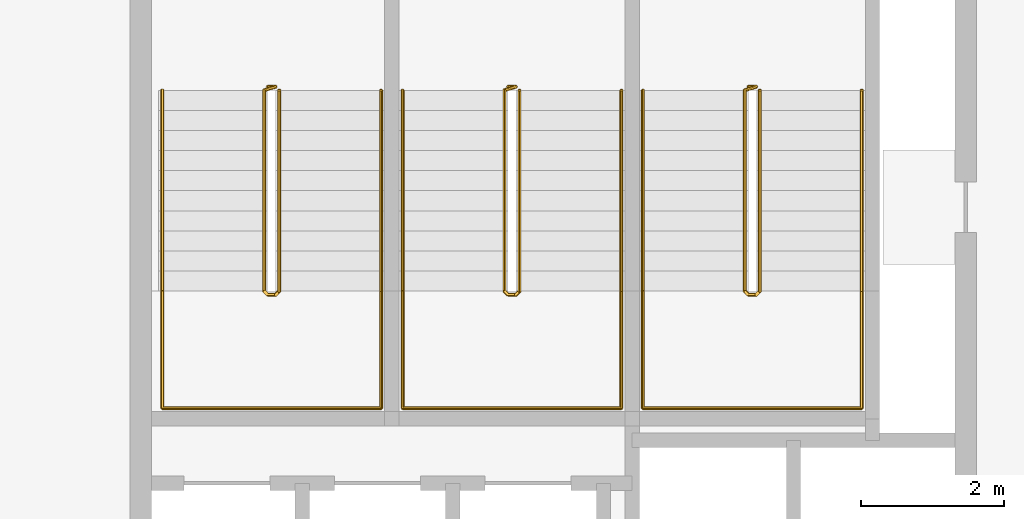
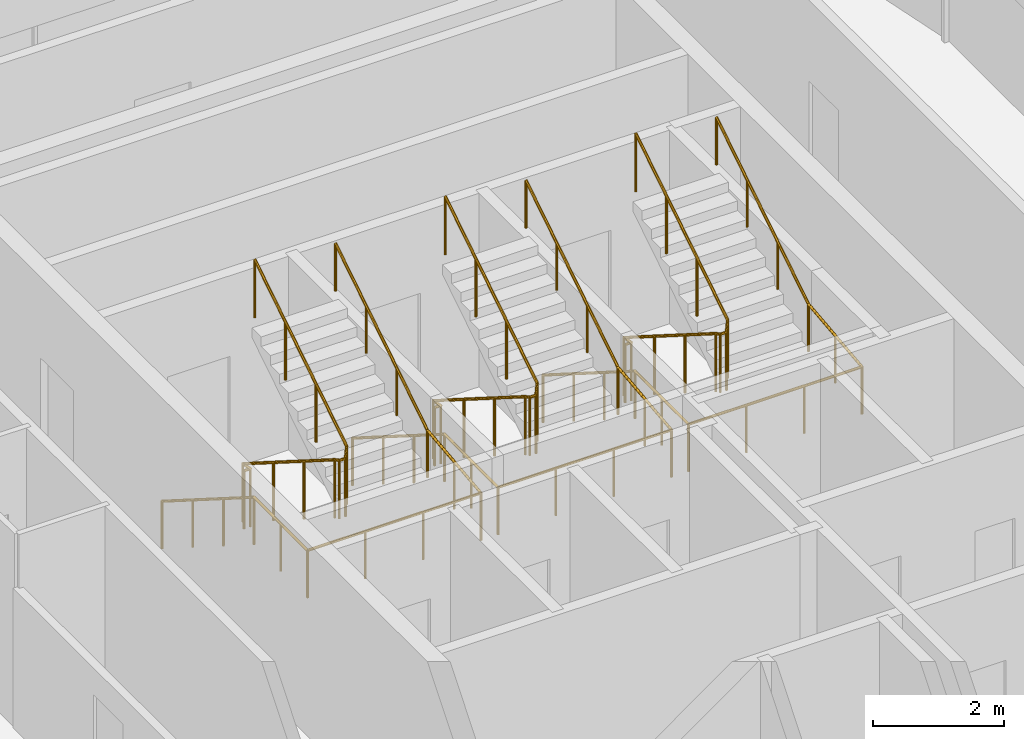
# One storey, part 10 of 10: 6 railings.
"""IFC4 building model written with IfcOpenShell, lengths in metres."""

from ifc_helpers import new_model, si_unit, direction, frame, origin, origin_2d, place, context, subcontext, project, spatial, circle, extrude, material, type_object, element, save


model = new_model("IFC4")

# Units and contexts
model_context = context("Model", 3, precision=1e-05, world=origin(), true_north=direction((0.0, 1.0)))
body_context = subcontext(model_context, "Body", "Model", "MODEL_VIEW")
ifc_project = project(units=[si_unit("LENGTHUNIT", "METRE"), si_unit("AREAUNIT", "SQUARE_METRE"), si_unit("VOLUMEUNIT", "CUBIC_METRE"), si_unit("PLANEANGLEUNIT", "RADIAN"), si_unit("MASSUNIT", "GRAM", prefix="KILO")], contexts=[model_context])

# Site, building, storey
site_placement = place(None, origin())
site = spatial("IfcSite", under=ifc_project, at=site_placement, CompositionType="ELEMENT")
building_placement = place(site_placement, origin())
building = spatial("IfcBuilding", under=site, at=building_placement, Name="Tessera Arch", CompositionType="ELEMENT")
storey_placement = place(building_placement, frame((0.0, 0.0, 301.199951171875)))
storey = spatial("IfcBuildingStorey", under=building, at=storey_placement, Name="L72", CompositionType="ELEMENT", Elevation=301.199951171875)

# Railings
ifc_material_1 = material(Name="Painted steel balustrade", Category="steel")
railing_type_1 = type_object("IfcRailingType", Name="Stair guard 1100", PredefinedType="GUARDRAIL", material=ifc_material_1)
railing_1_placement = place(storey_placement, frame((38.219970703125, 43.6298828125, 0.0)))
element("IfcRailing", 1, at=railing_1_placement, inside=storey, type_object=railing_type_1, Name="L72 S1a stair guard 1", PredefinedType="GUARDRAIL", context=body_context, shape_type="SweptSolid", body=[
    extrude(circle(Radius=0.02392578125, at=origin_2d()), frame((-0.00390625, 0.0, 1.076171875), z_axis=(1.0, 0.0, 0.0), x_axis=(0.0, 1.0, 0.0)), (0.0, 0.0, 1.0), 0.1181640625),
    extrude(circle(Radius=0.02392578125, at=origin_2d()), frame((0.11279296875, 0.000732421875, 1.0732421875), z_axis=(-0.656319048605, -0.204099216335, 0.726353093426), x_axis=(0.296948579431, -0.954893471113, 0.0)), (0.0, 0.0, 1.0), 0.251953125),
    extrude(circle(Radius=0.02392578125, at=origin_2d()), frame((-0.050048828125, -0.04638671875, 1.251220703125), z_axis=(0.0, -0.844908973607, 0.534910110503), x_axis=(1.0, 0.0, 0.0)), (0.0, 0.0, 1.0), 3.322021484375),
    extrude(circle(Radius=0.02392578125, at=origin_2d()), frame((-0.052978515625, -2.846923828125, 3.02587890625), z_axis=(0.707106781187, -0.707106781187, 0.0), x_axis=(0.707106781187, 0.707106781187, 0.0)), (0.0, 0.0, 1.0), 0.078857421875),
    extrude(circle(Radius=0.02392578125, at=origin_2d()), frame((-0.00390625, -2.89990234375, 3.02587890625), z_axis=(1.0, 0.0, 0.0), x_axis=(0.0, 1.0, 0.0)), (0.0, 0.0, 1.0), 0.1181640625),
    extrude(circle(Radius=0.02392578125, at=origin_2d()), frame((0.109130859375, -2.90087890625, 3.022216796875), z_axis=(0.260731885961, 0.262009983441, 0.929176868105), x_axis=(-0.708833529934, 0.705375805398, 0.0)), (0.0, 0.0, 1.0), 0.198974609375),
    extrude(circle(Radius=0.02392578125, at=origin_2d()), frame((0.159912109375, -2.853271484375, 3.201416015625), z_axis=(0.0, 0.844908973607, 0.534910110503), x_axis=(-1.0, 0.0, 0.0)), (0.0, 0.0, 1.0), 3.322021484375),
    extrude(circle(Radius=0.02099609375, at=origin_2d()), origin(), (0.0, 0.0, 1.0), 1.06396484375),
    extrude(circle(Radius=0.02099609375, at=origin_2d()), frame((0.110107421875, 0.0, 0.0)), (0.0, 0.0, 1.0), 1.06396484375),
    extrude(circle(Radius=0.02099609375, at=origin_2d()), frame((-0.050048828125, -0.0498046875, 0.17724609375)), (0.0, 0.0, 1.0), 1.06396484375),
    extrude(circle(Radius=0.02099609375, at=origin_2d()), frame((-0.050048828125, -0.983154296875, 0.76806640625)), (0.0, 0.0, 1.0), 1.06396484375),
    extrude(circle(Radius=0.02099609375, at=origin_2d()), frame((-0.050048828125, -1.91650390625, 1.359130859375)), (0.0, 0.0, 1.0), 1.06396484375),
    extrude(circle(Radius=0.02099609375, at=origin_2d()), frame((-0.050048828125, -2.849853515625, 1.949951171875)), (0.0, 0.0, 1.0), 1.06396484375),
    extrude(circle(Radius=0.02099609375, at=origin_2d()), frame((0.0, -2.89990234375, 1.949951171875)), (0.0, 0.0, 1.0), 1.06396484375),
    extrude(circle(Radius=0.02099609375, at=origin_2d()), frame((0.110107421875, -2.89990234375, 1.949951171875)), (0.0, 0.0, 1.0), 1.06396484375),
    extrude(circle(Radius=0.02099609375, at=origin_2d()), frame((0.159912109375, -2.849853515625, 2.12744140625)), (0.0, 0.0, 1.0), 1.06396484375),
    extrude(circle(Radius=0.02099609375, at=origin_2d()), frame((0.159912109375, -1.91650390625, 2.71826171875)), (0.0, 0.0, 1.0), 1.06396484375),
    extrude(circle(Radius=0.02099609375, at=origin_2d()), frame((0.159912109375, -0.983154296875, 3.309326171875)), (0.0, 0.0, 1.0), 1.06396484375),
    extrude(circle(Radius=0.02099609375, at=origin_2d()), frame((0.159912109375, -0.0498046875, 3.900146484375)), (0.0, 0.0, 1.0), 1.06396484375),
])
railing_2_placement = place(storey_placement, frame((41.570068359375, 43.6298828125, 0.0)))
element("IfcRailing", 2, at=railing_2_placement, inside=storey, type_object=railing_type_1, Name="L72 S1b stair guard 1", PredefinedType="GUARDRAIL", context=body_context, shape_type="SweptSolid", body=[
    extrude(circle(Radius=0.02392578125, at=origin_2d()), frame((-0.00390625, 0.0, 1.076171875), z_axis=(1.0, 0.0, 0.0), x_axis=(0.0, 1.0, 0.0)), (0.0, 0.0, 1.0), 0.117919921875),
    extrude(circle(Radius=0.02392578125, at=origin_2d()), frame((0.112548828125, 0.000732421875, 1.0732421875), z_axis=(-0.65574896516, -0.204233265485, 0.726830150696), x_axis=(0.297361876254, -0.954764847777, 0.0)), (0.0, 0.0, 1.0), 0.251953125),
    extrude(circle(Radius=0.02392578125, at=origin_2d()), frame((-0.050048828125, -0.04638671875, 1.251220703125), z_axis=(0.0, -0.844908973607, 0.534910110503), x_axis=(1.0, 0.0, 0.0)), (0.0, 0.0, 1.0), 3.322021484375),
    extrude(circle(Radius=0.02392578125, at=origin_2d()), frame((-0.052978515625, -2.846923828125, 3.02587890625), z_axis=(0.707106781187, -0.707106781187, 0.0), x_axis=(0.707106781187, 0.707106781187, 0.0)), (0.0, 0.0, 1.0), 0.078857421875),
    extrude(circle(Radius=0.02392578125, at=origin_2d()), frame((-0.00390625, -2.89990234375, 3.02587890625), z_axis=(1.0, 0.0, 0.0), x_axis=(0.0, 1.0, 0.0)), (0.0, 0.0, 1.0), 0.117919921875),
    extrude(circle(Radius=0.02392578125, at=origin_2d()), frame((0.10888671875, -2.90087890625, 3.022216796875), z_axis=(0.261922500866, 0.261922500866, 0.928866625022), x_axis=(-0.707106781187, 0.707106781187, 0.0)), (0.0, 0.0, 1.0), 0.198974609375),
    extrude(circle(Radius=0.02392578125, at=origin_2d()), frame((0.159912109375, -2.853271484375, 3.201416015625), z_axis=(0.0, 0.844908973607, 0.534910110503), x_axis=(-1.0, 0.0, 0.0)), (0.0, 0.0, 1.0), 3.322021484375),
    extrude(circle(Radius=0.02099609375, at=origin_2d()), origin(), (0.0, 0.0, 1.0), 1.06396484375),
    extrude(circle(Radius=0.02099609375, at=origin_2d()), frame((0.10986328125, 0.0, 0.0)), (0.0, 0.0, 1.0), 1.06396484375),
    extrude(circle(Radius=0.02099609375, at=origin_2d()), frame((-0.050048828125, -0.0498046875, 0.17724609375)), (0.0, 0.0, 1.0), 1.06396484375),
    extrude(circle(Radius=0.02099609375, at=origin_2d()), frame((-0.050048828125, -0.983154296875, 0.76806640625)), (0.0, 0.0, 1.0), 1.06396484375),
    extrude(circle(Radius=0.02099609375, at=origin_2d()), frame((-0.050048828125, -1.91650390625, 1.359130859375)), (0.0, 0.0, 1.0), 1.06396484375),
    extrude(circle(Radius=0.02099609375, at=origin_2d()), frame((-0.050048828125, -2.849853515625, 1.949951171875)), (0.0, 0.0, 1.0), 1.06396484375),
    extrude(circle(Radius=0.02099609375, at=origin_2d()), frame((0.0, -2.89990234375, 1.949951171875)), (0.0, 0.0, 1.0), 1.06396484375),
    extrude(circle(Radius=0.02099609375, at=origin_2d()), frame((0.10986328125, -2.89990234375, 1.949951171875)), (0.0, 0.0, 1.0), 1.06396484375),
    extrude(circle(Radius=0.02099609375, at=origin_2d()), frame((0.159912109375, -2.849853515625, 2.12744140625)), (0.0, 0.0, 1.0), 1.06396484375),
    extrude(circle(Radius=0.02099609375, at=origin_2d()), frame((0.159912109375, -1.91650390625, 2.71826171875)), (0.0, 0.0, 1.0), 1.06396484375),
    extrude(circle(Radius=0.02099609375, at=origin_2d()), frame((0.159912109375, -0.983154296875, 3.309326171875)), (0.0, 0.0, 1.0), 1.06396484375),
    extrude(circle(Radius=0.02099609375, at=origin_2d()), frame((0.159912109375, -0.0498046875, 3.900146484375)), (0.0, 0.0, 1.0), 1.06396484375),
])
railing_3_placement = place(storey_placement, frame((44.919921875, 43.6298828125, 0.0)))
element("IfcRailing", 3, at=railing_3_placement, inside=storey, type_object=railing_type_1, Name="L72 S1c stair guard 1", PredefinedType="GUARDRAIL", context=body_context, shape_type="SweptSolid", body=[
    extrude(circle(Radius=0.02392578125, at=origin_2d()), frame((-0.00390625, 0.0, 1.076171875), z_axis=(1.0, 0.0, 0.0), x_axis=(0.0, 1.0, 0.0)), (0.0, 0.0, 1.0), 0.1181640625),
    extrude(circle(Radius=0.02392578125, at=origin_2d()), frame((0.11279296875, 0.000732421875, 1.0732421875), z_axis=(-0.65574896516, -0.204233265485, 0.726830150696), x_axis=(0.297361876254, -0.954764847777, 0.0)), (0.0, 0.0, 1.0), 0.251953125),
    extrude(circle(Radius=0.02392578125, at=origin_2d()), frame((-0.0498046875, -0.04638671875, 1.251220703125), z_axis=(0.0, -0.844908973607, 0.534910110503), x_axis=(1.0, 0.0, 0.0)), (0.0, 0.0, 1.0), 3.322021484375),
    extrude(circle(Radius=0.02392578125, at=origin_2d()), frame((-0.052734375, -2.846923828125, 3.02587890625), z_axis=(0.705375805398, -0.708833529934, 0.0), x_axis=(0.708833529934, 0.705375805398, 0.0)), (0.0, 0.0, 1.0), 0.07861328125),
    extrude(circle(Radius=0.02392578125, at=origin_2d()), frame((-0.00390625, -2.89990234375, 3.02587890625), z_axis=(1.0, 0.0, 0.0), x_axis=(0.0, 1.0, 0.0)), (0.0, 0.0, 1.0), 0.1181640625),
    extrude(circle(Radius=0.02392578125, at=origin_2d()), frame((0.109130859375, -2.90087890625, 3.022216796875), z_axis=(0.261922500866, 0.261922500866, 0.928866625022), x_axis=(-0.707106781187, 0.707106781187, 0.0)), (0.0, 0.0, 1.0), 0.198974609375),
    extrude(circle(Radius=0.02392578125, at=origin_2d()), frame((0.16015625, -2.853271484375, 3.201416015625), z_axis=(0.0, 0.844908973607, 0.534910110503), x_axis=(-1.0, 0.0, 0.0)), (0.0, 0.0, 1.0), 3.322021484375),
    extrude(circle(Radius=0.02099609375, at=origin_2d()), origin(), (0.0, 0.0, 1.0), 1.06396484375),
    extrude(circle(Radius=0.02099609375, at=origin_2d()), frame((0.110107421875, 0.0, 0.0)), (0.0, 0.0, 1.0), 1.06396484375),
    extrude(circle(Radius=0.02099609375, at=origin_2d()), frame((-0.0498046875, -0.0498046875, 0.17724609375)), (0.0, 0.0, 1.0), 1.06396484375),
    extrude(circle(Radius=0.02099609375, at=origin_2d()), frame((-0.0498046875, -0.983154296875, 0.76806640625)), (0.0, 0.0, 1.0), 1.06396484375),
    extrude(circle(Radius=0.02099609375, at=origin_2d()), frame((-0.0498046875, -1.91650390625, 1.359130859375)), (0.0, 0.0, 1.0), 1.06396484375),
    extrude(circle(Radius=0.02099609375, at=origin_2d()), frame((-0.0498046875, -2.849853515625, 1.949951171875)), (0.0, 0.0, 1.0), 1.06396484375),
    extrude(circle(Radius=0.02099609375, at=origin_2d()), frame((0.0, -2.89990234375, 1.949951171875)), (0.0, 0.0, 1.0), 1.06396484375),
    extrude(circle(Radius=0.02099609375, at=origin_2d()), frame((0.110107421875, -2.89990234375, 1.949951171875)), (0.0, 0.0, 1.0), 1.06396484375),
    extrude(circle(Radius=0.02099609375, at=origin_2d()), frame((0.16015625, -2.849853515625, 2.12744140625)), (0.0, 0.0, 1.0), 1.06396484375),
    extrude(circle(Radius=0.02099609375, at=origin_2d()), frame((0.16015625, -1.91650390625, 2.71826171875)), (0.0, 0.0, 1.0), 1.06396484375),
    extrude(circle(Radius=0.02099609375, at=origin_2d()), frame((0.16015625, -0.983154296875, 3.309326171875)), (0.0, 0.0, 1.0), 1.06396484375),
    extrude(circle(Radius=0.02099609375, at=origin_2d()), frame((0.16015625, -0.0498046875, 3.900146484375)), (0.0, 0.0, 1.0), 1.06396484375),
])
ifc_material_2 = material(Name="Painted steel handrail", Category="steel")
railing_type_2 = type_object("IfcRailingType", Name="Stair handrail 900", PredefinedType="HANDRAIL", material=ifc_material_2)
railing_4_placement = place(storey_placement, frame((36.75, 43.580078125, 0.17724609375)))
element("IfcRailing", 4, at=railing_4_placement, inside=storey, type_object=railing_type_2, Name="L72 S1a stair handrail", PredefinedType="HANDRAIL", context=body_context, shape_type="SweptSolid", body=[
    extrude(circle(Radius=0.02392578125, at=origin_2d()), frame((0.0, 0.00341796875, 0.873779296875), z_axis=(0.0, -0.844908973607, 0.534910110503), x_axis=(1.0, 0.0, 0.0)), (0.0, 0.0, 1.0), 3.322021484375),
    extrude(circle(Radius=0.02392578125, at=origin_2d()), frame((0.0, -2.796142578125, 2.6484375), z_axis=(0.0, -1.0, 0.0), x_axis=(1.0, 0.0, 0.0)), (0.0, 0.0, 1.0), 1.63818359375),
    extrude(circle(Radius=0.02392578125, at=origin_2d()), frame((-0.00390625, -4.43017578125, 2.6484375), z_axis=(1.0, 0.0, 0.0), x_axis=(0.0, 1.0, 0.0)), (0.0, 0.0, 1.0), 3.05810546875),
    extrude(circle(Radius=0.02392578125, at=origin_2d()), frame((3.050048828125, -4.43408203125, 2.648193359375), z_axis=(0.0, 0.994124627078, 0.108241516233), x_axis=(-1.0, 0.0, 0.0)), (0.0, 0.0, 1.0), 1.647705078125),
    extrude(circle(Radius=0.02392578125, at=origin_2d()), frame((3.050048828125, -2.803466796875, 2.823974609375), z_axis=(0.0, 0.844908973607, 0.534910110503), x_axis=(-1.0, 0.0, 0.0)), (0.0, 0.0, 1.0), 3.322021484375),
    extrude(circle(Radius=0.02099609375, at=origin_2d()), origin(), (0.0, 0.0, 1.0), 0.86376953125),
    extrude(circle(Radius=0.02099609375, at=origin_2d()), frame((0.0, -0.933349609375, 0.5908203125)), (0.0, 0.0, 1.0), 0.86376953125),
    extrude(circle(Radius=0.02099609375, at=origin_2d()), frame((0.0, -1.86669921875, 1.181884765625)), (0.0, 0.0, 1.0), 0.86376953125),
    extrude(circle(Radius=0.02099609375, at=origin_2d()), frame((0.0, -2.800048828125, 1.772705078125)), (0.0, 0.0, 1.0), 0.86376953125),
    extrude(circle(Radius=0.02099609375, at=origin_2d()), frame((0.0, -3.615234375, 1.772705078125)), (0.0, 0.0, 1.0), 0.86376953125),
    extrude(circle(Radius=0.02099609375, at=origin_2d()), frame((0.0, -4.43017578125, 1.772705078125)), (0.0, 0.0, 1.0), 0.86376953125),
    extrude(circle(Radius=0.02099609375, at=origin_2d()), frame((1.0166015625, -4.43017578125, 1.772705078125)), (0.0, 0.0, 1.0), 0.86376953125),
    extrude(circle(Radius=0.02099609375, at=origin_2d()), frame((2.033447265625, -4.43017578125, 1.772705078125)), (0.0, 0.0, 1.0), 0.86376953125),
    extrude(circle(Radius=0.02099609375, at=origin_2d()), frame((3.050048828125, -4.43017578125, 1.772705078125)), (0.0, 0.0, 1.0), 0.86376953125),
    extrude(circle(Radius=0.02099609375, at=origin_2d()), frame((3.050048828125, -3.615234375, 1.861328125)), (0.0, 0.0, 1.0), 0.86376953125),
    extrude(circle(Radius=0.02099609375, at=origin_2d()), frame((3.050048828125, -2.800048828125, 1.9501953125)), (0.0, 0.0, 1.0), 0.86376953125),
    extrude(circle(Radius=0.02099609375, at=origin_2d()), frame((3.050048828125, -1.86669921875, 2.541015625)), (0.0, 0.0, 1.0), 0.86376953125),
    extrude(circle(Radius=0.02099609375, at=origin_2d()), frame((3.050048828125, -0.933349609375, 3.132080078125)), (0.0, 0.0, 1.0), 0.86376953125),
    extrude(circle(Radius=0.02099609375, at=origin_2d()), frame((3.050048828125, 0.0, 3.722900390625)), (0.0, 0.0, 1.0), 0.86376953125),
])
railing_5_placement = place(storey_placement, frame((40.10009765625, 43.580078125, 0.17724609375)))
element("IfcRailing", 5, at=railing_5_placement, inside=storey, type_object=railing_type_2, Name="L72 S1b stair handrail", PredefinedType="HANDRAIL", context=body_context, shape_type="SweptSolid", body=[
    extrude(circle(Radius=0.02392578125, at=origin_2d()), frame((0.0, 0.00341796875, 0.873779296875), z_axis=(0.0, -0.844908973607, 0.534910110503), x_axis=(1.0, 0.0, 0.0)), (0.0, 0.0, 1.0), 3.322021484375),
    extrude(circle(Radius=0.02392578125, at=origin_2d()), frame((0.0, -2.796142578125, 2.6484375), z_axis=(0.0, -1.0, 0.0), x_axis=(1.0, 0.0, 0.0)), (0.0, 0.0, 1.0), 1.63818359375),
    extrude(circle(Radius=0.02392578125, at=origin_2d()), frame((-0.00390625, -4.43017578125, 2.6484375), z_axis=(1.0, 0.0, 0.0), x_axis=(0.0, 1.0, 0.0)), (0.0, 0.0, 1.0), 3.057861328125),
    extrude(circle(Radius=0.02392578125, at=origin_2d()), frame((3.0498046875, -4.43408203125, 2.648193359375), z_axis=(0.0, 0.994124627078, 0.108241516233), x_axis=(-1.0, 0.0, 0.0)), (0.0, 0.0, 1.0), 1.647705078125),
    extrude(circle(Radius=0.02392578125, at=origin_2d()), frame((3.0498046875, -2.803466796875, 2.823974609375), z_axis=(0.0, 0.844908973607, 0.534910110503), x_axis=(-1.0, 0.0, 0.0)), (0.0, 0.0, 1.0), 3.322021484375),
    extrude(circle(Radius=0.02099609375, at=origin_2d()), origin(), (0.0, 0.0, 1.0), 0.86376953125),
    extrude(circle(Radius=0.02099609375, at=origin_2d()), frame((0.0, -0.933349609375, 0.5908203125)), (0.0, 0.0, 1.0), 0.86376953125),
    extrude(circle(Radius=0.02099609375, at=origin_2d()), frame((0.0, -1.86669921875, 1.181884765625)), (0.0, 0.0, 1.0), 0.86376953125),
    extrude(circle(Radius=0.02099609375, at=origin_2d()), frame((0.0, -2.800048828125, 1.772705078125)), (0.0, 0.0, 1.0), 0.86376953125),
    extrude(circle(Radius=0.02099609375, at=origin_2d()), frame((0.0, -3.615234375, 1.772705078125)), (0.0, 0.0, 1.0), 0.86376953125),
    extrude(circle(Radius=0.02099609375, at=origin_2d()), frame((0.0, -4.43017578125, 1.772705078125)), (0.0, 0.0, 1.0), 0.86376953125),
    extrude(circle(Radius=0.02099609375, at=origin_2d()), frame((1.0166015625, -4.43017578125, 1.772705078125)), (0.0, 0.0, 1.0), 0.86376953125),
    extrude(circle(Radius=0.02099609375, at=origin_2d()), frame((2.033203125, -4.43017578125, 1.772705078125)), (0.0, 0.0, 1.0), 0.86376953125),
    extrude(circle(Radius=0.02099609375, at=origin_2d()), frame((3.0498046875, -4.43017578125, 1.772705078125)), (0.0, 0.0, 1.0), 0.86376953125),
    extrude(circle(Radius=0.02099609375, at=origin_2d()), frame((3.0498046875, -3.615234375, 1.861328125)), (0.0, 0.0, 1.0), 0.86376953125),
    extrude(circle(Radius=0.02099609375, at=origin_2d()), frame((3.0498046875, -2.800048828125, 1.9501953125)), (0.0, 0.0, 1.0), 0.86376953125),
    extrude(circle(Radius=0.02099609375, at=origin_2d()), frame((3.0498046875, -1.86669921875, 2.541015625)), (0.0, 0.0, 1.0), 0.86376953125),
    extrude(circle(Radius=0.02099609375, at=origin_2d()), frame((3.0498046875, -0.933349609375, 3.132080078125)), (0.0, 0.0, 1.0), 0.86376953125),
    extrude(circle(Radius=0.02099609375, at=origin_2d()), frame((3.0498046875, 0.0, 3.722900390625)), (0.0, 0.0, 1.0), 0.86376953125),
])
railing_6_placement = place(storey_placement, frame((43.449951171875, 43.580078125, 0.17724609375)))
element("IfcRailing", 6, at=railing_6_placement, inside=storey, type_object=railing_type_2, Name="L72 S1c stair handrail", PredefinedType="HANDRAIL", context=body_context, shape_type="SweptSolid", body=[
    extrude(circle(Radius=0.02392578125, at=origin_2d()), frame((0.0, 0.00341796875, 0.873779296875), z_axis=(0.0, -0.844908973607, 0.534910110503), x_axis=(1.0, 0.0, 0.0)), (0.0, 0.0, 1.0), 3.322021484375),
    extrude(circle(Radius=0.02392578125, at=origin_2d()), frame((0.0, -2.796142578125, 2.6484375), z_axis=(0.0, -1.0, 0.0), x_axis=(1.0, 0.0, 0.0)), (0.0, 0.0, 1.0), 1.63818359375),
    extrude(circle(Radius=0.02392578125, at=origin_2d()), frame((-0.00390625, -4.43017578125, 2.6484375), z_axis=(1.0, 0.0, 0.0), x_axis=(0.0, 1.0, 0.0)), (0.0, 0.0, 1.0), 3.05810546875),
    extrude(circle(Radius=0.02392578125, at=origin_2d()), frame((3.050048828125, -4.43408203125, 2.648193359375), z_axis=(0.0, 0.994124627078, 0.108241516233), x_axis=(-1.0, 0.0, 0.0)), (0.0, 0.0, 1.0), 1.647705078125),
    extrude(circle(Radius=0.02392578125, at=origin_2d()), frame((3.050048828125, -2.803466796875, 2.823974609375), z_axis=(0.0, 0.844908973607, 0.534910110503), x_axis=(-1.0, 0.0, 0.0)), (0.0, 0.0, 1.0), 3.322021484375),
    extrude(circle(Radius=0.02099609375, at=origin_2d()), origin(), (0.0, 0.0, 1.0), 0.86376953125),
    extrude(circle(Radius=0.02099609375, at=origin_2d()), frame((0.0, -0.933349609375, 0.5908203125)), (0.0, 0.0, 1.0), 0.86376953125),
    extrude(circle(Radius=0.02099609375, at=origin_2d()), frame((0.0, -1.86669921875, 1.181884765625)), (0.0, 0.0, 1.0), 0.86376953125),
    extrude(circle(Radius=0.02099609375, at=origin_2d()), frame((0.0, -2.800048828125, 1.772705078125)), (0.0, 0.0, 1.0), 0.86376953125),
    extrude(circle(Radius=0.02099609375, at=origin_2d()), frame((0.0, -3.615234375, 1.772705078125)), (0.0, 0.0, 1.0), 0.86376953125),
    extrude(circle(Radius=0.02099609375, at=origin_2d()), frame((0.0, -4.43017578125, 1.772705078125)), (0.0, 0.0, 1.0), 0.86376953125),
    extrude(circle(Radius=0.02099609375, at=origin_2d()), frame((1.0166015625, -4.43017578125, 1.772705078125)), (0.0, 0.0, 1.0), 0.86376953125),
    extrude(circle(Radius=0.02099609375, at=origin_2d()), frame((2.033447265625, -4.43017578125, 1.772705078125)), (0.0, 0.0, 1.0), 0.86376953125),
    extrude(circle(Radius=0.02099609375, at=origin_2d()), frame((3.050048828125, -4.43017578125, 1.772705078125)), (0.0, 0.0, 1.0), 0.86376953125),
    extrude(circle(Radius=0.02099609375, at=origin_2d()), frame((3.050048828125, -3.615234375, 1.861328125)), (0.0, 0.0, 1.0), 0.86376953125),
    extrude(circle(Radius=0.02099609375, at=origin_2d()), frame((3.050048828125, -2.800048828125, 1.9501953125)), (0.0, 0.0, 1.0), 0.86376953125),
    extrude(circle(Radius=0.02099609375, at=origin_2d()), frame((3.050048828125, -1.86669921875, 2.541015625)), (0.0, 0.0, 1.0), 0.86376953125),
    extrude(circle(Radius=0.02099609375, at=origin_2d()), frame((3.050048828125, -0.933349609375, 3.132080078125)), (0.0, 0.0, 1.0), 0.86376953125),
    extrude(circle(Radius=0.02099609375, at=origin_2d()), frame((3.050048828125, 0.0, 3.722900390625)), (0.0, 0.0, 1.0), 0.86376953125),
])

save(model, "model.ifc")
